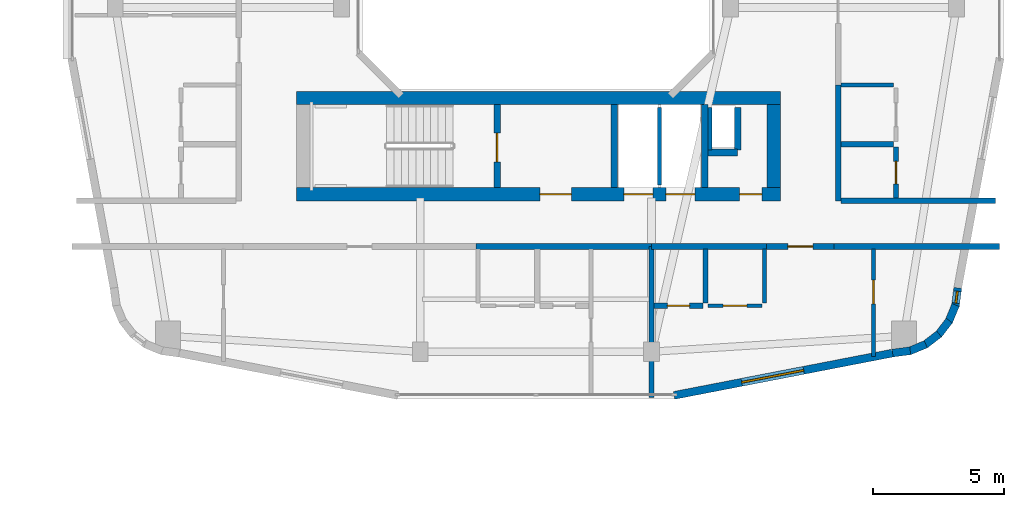
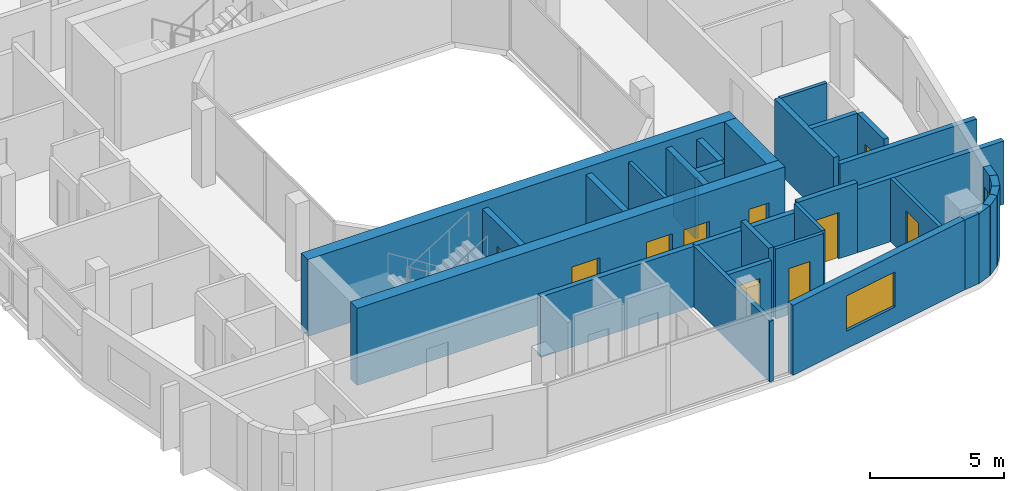
# One storey, part 17 of 25: 32 walls, 10 doors, 2 windows, 12 openings.
"""IFC4 building model written with IfcOpenShell, lengths in metres."""

import ifcopenshell
import ifcopenshell.guid

model = None  # the IFC model being written
_history = None  # IfcOwnerHistory: only IFC2X3 demands one
_inside = {}  # id of a spatial element -> (the spatial element, [elements in it])
_under = {}  # id of a project, library or spatial element -> (it, [spatial elements below it])
_declared = {}  # id of a project -> (the project, [libraries it declares])
_typed = {}  # id of a type object -> (the type object, [elements of that type])
_made_of = {}  # id of a material, layer set ... -> (it, [elements and type objects made of it])


def new_model(schema):
    """Start an empty IFC model of exactly this schema.

    Asked for "IFC4X3", IfcOpenShell would pick the latest addendum, in which some entities
    have other attributes; the version numbers below select the first issue.
    IFC2X3 requires an IfcOwnerHistory on every rooted entity: one is made here for all.
    """
    global model, _history
    if schema == "IFC4X3":
        model = ifcopenshell.file(schema_version=(4, 3, 0, 0))
    else:
        model = ifcopenshell.file(schema=schema)
    _inside.clear()
    _under.clear()
    _declared.clear()
    _typed.clear()
    _made_of.clear()
    _history = None
    if model.schema == "IFC2X3":
        org = make("IfcOrganization", Name="unknown")
        user = make(
            "IfcPersonAndOrganization",
            ThePerson=make("IfcPerson", FamilyName="unknown"),
            TheOrganization=org,
        )
        app = make(
            "IfcApplication",
            ApplicationDeveloper=org,
            Version="unknown",
            ApplicationFullName="unknown",
            ApplicationIdentifier="unknown",
        )
        _history = make(
            "IfcOwnerHistory",
            OwningUser=user,
            OwningApplication=app,
            ChangeAction="ADDED",
            CreationDate=0,
        )
    return model


def make(cls, **values):
    """One entity of the class cls with the attributes given. An attribute that is None is left unset."""
    return model.create_entity(
        cls, **{name: value for name, value in values.items() if value is not None}
    )


def rooted(cls, **values):
    """An entity with a GlobalId (a new one), such as an element, a storey or a relation."""
    return make(cls, GlobalId=ifcopenshell.guid.new(), OwnerHistory=_history, **values)


def si_unit(unit_type, name, prefix=None):
    """IfcSIUnit, for example si_unit("LENGTHUNIT", "METRE", prefix="MILLI")."""
    return make("IfcSIUnit", UnitType=unit_type, Prefix=prefix, Name=name)


def derived_unit(unit_type, elements):
    """IfcDerivedUnit: a product of units, each with its exponent."""
    return make(
        "IfcDerivedUnit",
        Elements=[
            make("IfcDerivedUnitElement", Unit=unit, Exponent=power)
            for unit, power in elements
        ],
        UnitType=unit_type,
    )


def assignment(units):
    """IfcUnitAssignment: the units of a project."""
    return None if units is None else make("IfcUnitAssignment", Units=units)


def point(xyz):
    """IfcCartesianPoint."""
    return None if xyz is None else make("IfcCartesianPoint", Coordinates=xyz)


def direction(xyz):
    """IfcDirection."""
    return None if xyz is None else make("IfcDirection", DirectionRatios=xyz)


def frame(location, z_axis=None, x_axis=None):
    """IfcAxis2Placement3D, a coordinate frame: its origin and axes. An axis left out is left unset."""
    return make(
        "IfcAxis2Placement3D",
        Location=point(location),
        Axis=direction(z_axis),
        RefDirection=direction(x_axis),
    )


def frame_2d(location, x_axis=None):
    """IfcAxis2Placement2D, a coordinate frame in the plane: its origin and x axis."""
    return make(
        "IfcAxis2Placement2D", Location=point(location), RefDirection=direction(x_axis)
    )


def origin():
    """The frame at (0, 0, 0) with its axes left unset."""
    return frame((0.0, 0.0, 0.0))


def place(relative_to, where):
    """IfcLocalPlacement: puts the frame where relative to a parent placement (None: the world)."""
    return make(
        "IfcLocalPlacement", PlacementRelTo=relative_to, RelativePlacement=where
    )


def context(
    kind, dimensions, precision=None, world=None, true_north=None, identifier=None
):
    """IfcGeometricRepresentationContext, for example the 3D "Model" context."""
    return make(
        "IfcGeometricRepresentationContext",
        ContextIdentifier=identifier,
        ContextType=kind,
        CoordinateSpaceDimension=dimensions,
        Precision=precision,
        WorldCoordinateSystem=world,
        TrueNorth=true_north,
    )


def subcontext(parent, identifier, kind, view, scale=None):
    """IfcGeometricRepresentationSubContext, for example "Body" below "Model"."""
    return make(
        "IfcGeometricRepresentationSubContext",
        ContextIdentifier=identifier,
        ContextType=kind,
        ParentContext=parent,
        TargetScale=scale,
        TargetView=view,
    )


def project(units=None, contexts=None):
    """IfcProject with its units and contexts."""
    return rooted(
        "IfcProject",
        Name="project",
        RepresentationContexts=contexts,
        UnitsInContext=assignment(units),
    )


def spatial(cls, under=None, at=None, **own):
    """A site, building, storey or space (cls), placed at a placement, below another one or the project."""
    s = rooted(cls, ObjectPlacement=at, **own)
    if under is not None:
        _under.setdefault(under.id(), (under, []))[1].append(s)
    return s


def profile(cls, at=None, kind="AREA", **sizes):
    """A parametric profile (cls). Its sizes go by their IFC names, for example OverallWidth=200.0."""
    return make(cls, ProfileType=kind, Position=at, **sizes)


def rectangle(**sizes):
    """IfcRectangleProfileDef."""
    return profile("IfcRectangleProfileDef", **sizes)


def extrude(swept, where, along, depth):
    """IfcExtrudedAreaSolid: the profile swept, set in the frame where, extruded along a direction by depth."""
    return make(
        "IfcExtrudedAreaSolid",
        SweptArea=swept,
        Position=where,
        ExtrudedDirection=direction(along),
        Depth=depth,
    )


def shape(context_of_items, identifier, shape_type, items):
    """IfcShapeRepresentation: the items that make up one representation, for example the "Body"."""
    return make(
        "IfcShapeRepresentation",
        ContextOfItems=context_of_items,
        RepresentationIdentifier=identifier,
        RepresentationType=shape_type,
        Items=items,
    )


def material(Name=None, Category=None):
    """IfcMaterial."""
    return make("IfcMaterial", Name=Name, Category=Category)


def layer(
    of_material, thickness, ventilated=None, Name=None, Category=None, Priority=None
):
    """IfcMaterialLayer: one layer of a wall or slab, of a material (None: an air gap)."""
    return make(
        "IfcMaterialLayer",
        Material=of_material,
        LayerThickness=thickness,
        IsVentilated=ventilated,
        Name=Name,
        Category=Category,
        Priority=Priority,
    )


def layer_set(layers, Name=None):
    """IfcMaterialLayerSet."""
    return make("IfcMaterialLayerSet", MaterialLayers=layers, LayerSetName=Name)


def made_of(thing, what):
    """Note that an element or type object is made of a material, layer set ...; save() writes the relation."""
    if what is not None:
        _made_of.setdefault(what.id(), (what, []))[1].append(thing)
    return thing


def type_object(cls, material=None, **own):
    """A type object (cls), such as IfcWallType, which elements share."""
    return made_of(rooted(cls, **own), material)


def element(
    cls,
    number,
    at=None,
    inside=None,
    cuts=None,
    type_object=None,
    material=None,
    context=None,
    identifier="Body",
    shape_type=None,
    held_by="IfcProductDefinitionShape",
    body=None,
    shapes=None,
    **own,
):
    """One element of the class cls, such as IfcWall. Its Tag is "e" and its number.

    at: its placement. inside: the storey or other place that contains it. cuts: it is an
    opening in that element (IfcRelVoidsElement). A single representation is given by context,
    identifier, shape_type and body (its items); several are given by shapes. held_by: the class
    of the entity that holds the representations. save() writes the other relations.
    """
    e = rooted(cls, Tag="e%d" % number, ObjectPlacement=at, **own)
    if body is not None:
        shapes = [shape(context, identifier, shape_type, body)]
    if shapes is not None:
        e.Representation = make(held_by, Representations=shapes)
    if inside is not None:
        _inside.setdefault(inside.id(), (inside, []))[1].append(e)
    if cuts is not None:
        rooted(
            "IfcRelVoidsElement", RelatingBuildingElement=cuts, RelatedOpeningElement=e
        )
    if type_object is not None:
        _typed.setdefault(type_object.id(), (type_object, []))[1].append(e)
    return made_of(e, material)


def fill(opening, filler):
    """IfcRelFillsElement: the door or window that sits in an opening."""
    return rooted(
        "IfcRelFillsElement",
        RelatingOpeningElement=opening,
        RelatedBuildingElement=filler,
    )


def aggregate(whole, parts):
    """IfcRelAggregates: a whole, such as a stair, and the parts it consists of."""
    return rooted("IfcRelAggregates", RelatingObject=whole, RelatedObjects=parts)


def save(model, path):
    """Write the relations noted so far, then the file.

    IfcRelAggregates (storeys below a building ...), IfcRelContainedInSpatialStructure (elements
    in a storey), IfcRelDefinesByType, IfcRelAssociatesMaterial and IfcRelDeclares: one each for
    every whole, place, type object, material and project.
    """
    for whole, parts in _under.values():
        aggregate(whole, parts)
    for where, things in _inside.values():
        rooted(
            "IfcRelContainedInSpatialStructure",
            RelatedElements=things,
            RelatingStructure=where,
        )
    for kind, things in _typed.values():
        rooted("IfcRelDefinesByType", RelatedObjects=things, RelatingType=kind)
    for what, things in _made_of.values():
        rooted("IfcRelAssociatesMaterial", RelatedObjects=things, RelatingMaterial=what)
    for by, libraries in _declared.values():
        rooted("IfcRelDeclares", RelatingContext=by, RelatedDefinitions=libraries)
    model.write(path)


model = new_model("IFC4")

# Units and contexts
model_context = context("Model", 3, precision=1e-05, world=origin(), true_north=direction((0.0, 1.0)))
body_context = subcontext(model_context, "Body", "Model", "MODEL_VIEW")
ifc_project = project(units=[si_unit("LENGTHUNIT", "METRE"), si_unit("AREAUNIT", "SQUARE_METRE"), si_unit("VOLUMEUNIT", "CUBIC_METRE"), si_unit("PLANEANGLEUNIT", "RADIAN"), si_unit("MASSUNIT", "GRAM", prefix="KILO"), derived_unit("THERMALTRANSMITTANCEUNIT", [(si_unit("POWERUNIT", "WATT"), 1), (si_unit("LENGTHUNIT", "METRE"), -2), (si_unit("THERMODYNAMICTEMPERATUREUNIT", "KELVIN"), -1)])], contexts=[model_context])

# Site, building, storey
site_placement = place(None, origin())
site = spatial("IfcSite", under=ifc_project, at=site_placement, CompositionType="ELEMENT")
building_placement = place(site_placement, origin())
building = spatial("IfcBuilding", under=site, at=building_placement, Name="Kivonza Crest Hotel", CompositionType="ELEMENT")
storey_placement = place(building_placement, frame((0.0, 0.0, 87.0)))
storey = spatial("IfcBuildingStorey", under=building, at=storey_placement, Name="L23", CompositionType="ELEMENT", Elevation=87.0)

# Walls
ifc_material_1 = material(Name="High-density acoustic masonry inter-tenancy wall", Category="masonry")
ifc_layer_1 = layer(ifc_material_1, 0.179931640625)
ifc_layer_set_1 = layer_set([ifc_layer_1], Name="High-density acoustic masonry inter-tenancy wall")
wall_type_1 = type_object("IfcWallType", Name="WL-ACOU-180", PredefinedType="SOLIDWALL", material=ifc_layer_set_1)
wall_1_placement = place(storey_placement, frame((81.39990234375, 6.659912109375, 0.0), z_axis=(0.0, 0.0, 1.0), x_axis=(0.0, 1.0, 0.0)))
element("IfcWall", 1, at=wall_1_placement, inside=storey, type_object=wall_type_1, Name="L23 interior partition WA-L23-T2S-DIV1", PredefinedType="SOLIDWALL", context=body_context, shape_type="SweptSolid", body=[
    extrude(rectangle(XDim=5.739990234375, YDim=0.179931640625, at=frame_2d((2.8701171875, 0.0))), origin(), (0.0, 0.0, 1.0), 2.7548828125),
])
ifc_material_2 = material(Name="Autoclaved aerated concrete blockwork", Category="masonry")
ifc_layer_2 = layer(ifc_material_2, 0.219970703125)
ifc_layer_set_2 = layer_set([ifc_layer_2], Name="Autoclaved aerated concrete blockwork")
wall_type_2 = type_object("IfcWallType", Name="WL-ACOU-220", PredefinedType="SOLIDWALL", material=ifc_layer_set_2)
wall_2_placement = place(storey_placement, frame((74.719970703125, 12.39990234375, 0.0), z_axis=(0.0, 0.0, 1.0), x_axis=(1.0, 0.0, 0.0)))
element("IfcWall", 2, at=wall_2_placement, inside=storey, type_object=wall_type_2, Name="L23 interior partition WA-L23-A03-RCORR", PredefinedType="SOLIDWALL", context=body_context, shape_type="SweptSolid", body=[
    extrude(rectangle(XDim=6.679931640625, YDim=0.219970703125, at=frame_2d((3.33984375, 0.0))), origin(), (0.0, 0.0, 1.0), 2.7548828125),
])
wall_3_placement = place(storey_placement, frame((81.39990234375, 12.39990234375, 0.0), z_axis=(0.0, 0.0, 1.0), x_axis=(1.0, 0.0, 0.0)))
element("IfcWall", 3, at=wall_3_placement, inside=storey, type_object=wall_type_2, Name="L23 interior partition WA-L23-A04-LCORR", PredefinedType="SOLIDWALL", context=body_context, shape_type="SweptSolid", body=[
    extrude(rectangle(XDim=4.380126953125, YDim=0.219970703125, at=frame_2d((2.18994140625, 0.0))), origin(), (0.0, 0.0, 1.0), 2.7548828125),
])
wall_4_placement = place(storey_placement, frame((88.35009765625, 12.39990234375, 0.0), z_axis=(0.0, 0.0, 1.0), x_axis=(1.0, 0.0, 0.0)))
element("IfcWall", 4, at=wall_4_placement, inside=storey, type_object=wall_type_2, Name="L23 interior partition WA-L23-A04-RCORR", PredefinedType="SOLIDWALL", context=body_context, shape_type="SweptSolid", body=[
    extrude(rectangle(XDim=6.289794921875, YDim=0.219970703125, at=frame_2d((3.14501953125, 0.0))), origin(), (0.0, 0.0, 1.0), 2.875),
])

# Wall, opening, door
wall_5_placement = place(storey_placement, frame((85.780029296875, 12.39990234375, 0.0), z_axis=(0.0, 0.0, 1.0), x_axis=(1.0, 0.0, 0.0)))
wall_5 = element("IfcWall", 5, at=wall_5_placement, inside=storey, type_object=wall_type_2, Name="L23 interior partition WA-L23-A04-MCORR", PredefinedType="SOLIDWALL", context=body_context, shape_type="SweptSolid", body=[
    extrude(rectangle(XDim=2.570068359375, YDim=0.219970703125, at=frame_2d((1.28515625, 0.0))), origin(), (0.0, 0.0, 1.0), 3.179931640625),
])
opening_1_placement = place(wall_5_placement, frame((0.81005859375, 0.0, 0.0)))
opening_1 = element("IfcOpeningElement", 6, at=opening_1_placement, cuts=wall_5, Name="Opening DU-60", PredefinedType="OPENING", context=body_context, shape_type="SweptSolid", body=[
    extrude(rectangle(XDim=0.949951171875, YDim=2.10009765625, at=frame_2d((0.47509765625, 1.050048828125))), frame((0.0, 0.1201171875, 0.0), z_axis=(0.0, -1.0, 0.0), x_axis=(1.0, 0.0, 0.0)), (0.0, 0.0, 1.0), 0.239990234375),
])
ifc_material_3 = material(Name="Hardwood timber oak", Category="wood")
door_type_1 = type_object("IfcDoorType", Name="DR-UNIT-950", OperationType="NOTDEFINED", PredefinedType="DOOR", material=ifc_material_3)
door_1_placement = place(opening_1_placement, frame((0.949951171875, 0.0, 0.0), z_axis=(0.0, 0.0, 1.0), x_axis=(-1.0, 0.0, 0.0)))
door_1 = element("IfcDoor", 7, at=door_1_placement, inside=storey, type_object=door_type_1, Name="L23 A04 apartment entrance fire door", OperationType="SINGLE_SWING_RIGHT", OverallHeight=2.10009765625, OverallWidth=0.949951171875, PredefinedType="DOOR", context=body_context, shape_type="SweptSolid", body=[
    extrude(rectangle(XDim=0.949951171875, YDim=2.10009765625, at=frame_2d((0.47509765625, 1.050048828125))), frame((0.0, 0.02490234375, 0.0), z_axis=(0.0, -1.0, 0.0), x_axis=(1.0, 0.0, 0.0)), (0.0, 0.0, 1.0), 0.050048828125),
])
fill(opening_1, door_1)

# Walls
wall_6_placement = place(storey_placement, frame((88.60009765625, 14.139892578125, 0.0), z_axis=(0.0, 0.0, 1.0), x_axis=(1.0, 0.0, 0.0)))
element("IfcWall", 8, at=wall_6_placement, inside=storey, type_object=wall_type_2, Name="L23 interior partition WA-L23-T2E-ENDS", PredefinedType="SOLIDWALL", context=body_context, shape_type="SweptSolid", body=[
    extrude(rectangle(XDim=5.8798828125, YDim=0.219970703125, at=frame_2d((2.93994140625, 0.0))), origin(), (0.0, 0.0, 1.0), 2.875),
])
wall_7_placement = place(storey_placement, frame((88.5, 14.139892578125, 0.0), z_axis=(0.0, 0.0, 1.0), x_axis=(0.0, 1.0, 0.0)))
element("IfcWall", 9, at=wall_7_placement, inside=storey, type_object=wall_type_2, Name="L23 interior partition WA-L23-A07-BCORR", PredefinedType="SOLIDWALL", context=body_context, shape_type="SweptSolid", body=[
    extrude(rectangle(XDim=4.400146484375, YDim=0.219970703125, at=frame_2d((2.2001953125, 0.0))), origin(), (0.0, 0.0, 1.0), 3.179931640625),
])

# Wall, openings, doors
ifc_material_4 = material(Name="Concrete C60/75", Category="concrete")
ifc_layer_3 = layer(ifc_material_4, 0.5)
ifc_layer_set_3 = layer_set([ifc_layer_3], Name="Concrete C60/75")
wall_type_3 = type_object("IfcWallType", Name="WL-CORE-500", PredefinedType="SHEAR", material=ifc_layer_set_3)
wall_8_placement = place(storey_placement, frame((67.89990234375, 14.389892578125, 0.0), z_axis=(0.0, 0.0, 1.0), x_axis=(1.0, 0.0, 0.0)))
wall_8 = element("IfcWall", 10, at=wall_8_placement, inside=storey, type_object=wall_type_3, Name="Core wall T2-S South L23", PredefinedType="SHEAR", context=body_context, shape_type="SweptSolid", body=[
    extrude(rectangle(XDim=18.400146484375, YDim=0.5, at=frame_2d((9.2001953125, 0.0))), origin(), (0.0, 0.0, 1.0), 3.5),
])
opening_2_placement = place(wall_8_placement, frame((9.25, 0.0, 0.0)))
opening_2 = element("IfcOpeningElement", 11, at=opening_2_placement, cuts=wall_8, Name="Opening DF-60", PredefinedType="OPENING", context=body_context, shape_type="SweptSolid", body=[
    extrude(rectangle(XDim=1.199951171875, YDim=2.14990234375, at=frame_2d((0.60009765625, 1.074951171875))), frame((0.0, 0.260009765625, 0.0), z_axis=(0.0, -1.0, 0.0), x_axis=(1.0, 0.0, 0.0)), (0.0, 0.0, 1.0), 0.52001953125),
])
opening_3_placement = place(wall_8_placement, frame((16.85009765625, 0.0, 0.0)))
opening_3 = element("IfcOpeningElement", 12, at=opening_3_placement, cuts=wall_8, Name="Opening DF-60R", PredefinedType="OPENING", context=body_context, shape_type="SweptSolid", body=[
    extrude(rectangle(XDim=0.85009765625, YDim=2.10009765625, at=frame_2d((0.425048828125, 1.050048828125))), frame((0.0, 0.260009765625, 0.0), z_axis=(0.0, -1.0, 0.0), x_axis=(1.0, 0.0, 0.0)), (0.0, 0.0, 1.0), 0.52001953125),
])
opening_4_placement = place(wall_8_placement, frame((12.449951171875, 0.0, 0.0)))
opening_4 = element("IfcOpeningElement", 13, at=opening_4_placement, cuts=wall_8, Name="Opening LD-120", PredefinedType="OPENING", context=body_context, shape_type="SweptSolid", body=[
    extrude(rectangle(XDim=1.10009765625, YDim=2.14990234375, at=frame_2d((0.550048828125, 1.074951171875))), frame((0.0, 0.260009765625, 0.0), z_axis=(0.0, -1.0, 0.0), x_axis=(1.0, 0.0, 0.0)), (0.0, 0.0, 1.0), 0.52001953125),
])
opening_5_placement = place(wall_8_placement, frame((14.050048828125, 0.0, 0.0)))
opening_5 = element("IfcOpeningElement", 14, at=opening_5_placement, cuts=wall_8, Name="Opening LD-120", PredefinedType="OPENING", context=body_context, shape_type="SweptSolid", body=[
    extrude(rectangle(XDim=1.10009765625, YDim=2.14990234375, at=frame_2d((0.550048828125, 1.074951171875))), frame((0.0, 0.260009765625, 0.0), z_axis=(0.0, -1.0, 0.0), x_axis=(1.0, 0.0, 0.0)), (0.0, 0.0, 1.0), 0.52001953125),
])
door_type_2 = type_object("IfcDoorType", Name="DR-FD60-1200", OperationType="NOTDEFINED", PredefinedType="DOOR", material=ifc_material_3)
door_2_placement = place(opening_2_placement, frame((1.199951171875, 0.0, 0.0), z_axis=(0.0, 0.0, 1.0), x_axis=(-1.0, 0.0, 0.0)))
door_2 = element("IfcDoor", 15, at=door_2_placement, inside=storey, type_object=door_type_2, Name="L23 T2-S firefighting lobby fire door", OperationType="SINGLE_SWING_LEFT", OverallHeight=2.14990234375, OverallWidth=1.199951171875, PredefinedType="DOOR", context=body_context, shape_type="SweptSolid", body=[
    extrude(rectangle(XDim=1.199951171875, YDim=2.14990234375, at=frame_2d((0.60009765625, 1.074951171875))), frame((0.0, 0.02490234375, 0.0), z_axis=(0.0, -1.0, 0.0), x_axis=(1.0, 0.0, 0.0)), (0.0, 0.0, 1.0), 0.050048828125),
])
fill(opening_2, door_2)
door_type_3 = type_object("IfcDoorType", Name="DR-FD60-850", OperationType="NOTDEFINED", PredefinedType="DOOR", material=ifc_material_3)
door_3_placement = place(opening_3_placement, frame((0.85009765625, 0.0, 0.0), z_axis=(0.0, 0.0, 1.0), x_axis=(-1.0, 0.0, 0.0)))
door_3 = element("IfcDoor", 16, at=door_3_placement, inside=storey, type_object=door_type_3, Name="L23 T2-S core room door", OperationType="SINGLE_SWING_RIGHT", OverallHeight=2.10009765625, OverallWidth=0.85009765625, PredefinedType="DOOR", context=body_context, shape_type="SweptSolid", body=[
    extrude(rectangle(XDim=0.85009765625, YDim=2.10009765625, at=frame_2d((0.425048828125, 1.050048828125))), frame((0.0, 0.02490234375, 0.0), z_axis=(0.0, -1.0, 0.0), x_axis=(1.0, 0.0, 0.0)), (0.0, 0.0, 1.0), 0.050048828125),
])
fill(opening_3, door_3)
ifc_material_5 = material(Name="Stainless steel", Category="steel")
door_type_4 = type_object("IfcDoorType", Name="DR-LD120-1100", OperationType="NOTDEFINED", PredefinedType="DOOR", material=ifc_material_5)
door_4_placement = place(opening_4_placement, frame((1.10009765625, 0.0, 0.0), z_axis=(0.0, 0.0, 1.0), x_axis=(-1.0, 0.0, 0.0)))
door_4 = element("IfcDoor", 17, at=door_4_placement, inside=storey, type_object=door_type_4, Name="L23 PL-T2-1 passenger lift sliding landing door", OperationType="DOUBLE_DOOR_SLIDING", OverallHeight=2.14990234375, OverallWidth=1.10009765625, PredefinedType="DOOR", context=body_context, shape_type="SweptSolid", body=[
    extrude(rectangle(XDim=1.10009765625, YDim=2.14990234375, at=frame_2d((0.550048828125, 1.074951171875))), frame((0.0, 0.02490234375, 0.0), z_axis=(0.0, -1.0, 0.0), x_axis=(1.0, 0.0, 0.0)), (0.0, 0.0, 1.0), 0.050048828125),
])
fill(opening_4, door_4)
door_5_placement = place(opening_5_placement, frame((1.10009765625, 0.0, 0.0), z_axis=(0.0, 0.0, 1.0), x_axis=(-1.0, 0.0, 0.0)))
door_5 = element("IfcDoor", 18, at=door_5_placement, inside=storey, type_object=door_type_4, Name="L23 PL-T2-2 passenger lift sliding landing door", OperationType="DOUBLE_DOOR_SLIDING", OverallHeight=2.14990234375, OverallWidth=1.10009765625, PredefinedType="DOOR", context=body_context, shape_type="SweptSolid", body=[
    extrude(rectangle(XDim=1.10009765625, YDim=2.14990234375, at=frame_2d((0.550048828125, 1.074951171875))), frame((0.0, 0.02490234375, 0.0), z_axis=(0.0, -1.0, 0.0), x_axis=(1.0, 0.0, 0.0)), (0.0, 0.0, 1.0), 0.050048828125),
])
fill(opening_5, door_5)

# Walls
wall_9_placement = place(storey_placement, frame((67.89990234375, 18.050048828125, 0.0), z_axis=(0.0, 0.0, 1.0), x_axis=(1.0, 0.0, 0.0)))
element("IfcWall", 19, at=wall_9_placement, inside=storey, type_object=wall_type_3, Name="Core wall T2-S North L23", PredefinedType="SHEAR", context=body_context, shape_type="SweptSolid", body=[
    extrude(rectangle(XDim=18.400146484375, YDim=0.5, at=frame_2d((9.2001953125, 0.0))), origin(), (0.0, 0.0, 1.0), 3.5),
])
wall_10_placement = place(storey_placement, frame((86.050048828125, 14.639892578125, 0.0), z_axis=(0.0, 0.0, 1.0), x_axis=(0.0, 1.0, 0.0)))
element("IfcWall", 20, at=wall_10_placement, inside=storey, type_object=wall_type_3, Name="Core wall T2-S East L23", PredefinedType="SHEAR", context=body_context, shape_type="SweptSolid", body=[
    extrude(rectangle(XDim=3.16015625, YDim=0.5, at=frame_2d((1.580078125, 0.0))), origin(), (0.0, 0.0, 1.0), 3.5),
])

# Wall, opening, window
ifc_material_6 = material(Name="Precast concrete C40/50", Category="concrete")
ifc_layer_4 = layer(ifc_material_6, 0.300048828125)
ifc_layer_set_4 = layer_set([ifc_layer_4], Name="Precast concrete C40/50")
wall_type_4 = type_object("IfcWallType", Name="WL-EXT-300", PredefinedType="STANDARD", material=ifc_layer_set_4)
wall_11_placement = place(storey_placement, frame((82.257080078125, 6.737060546875, 0.0), z_axis=(0.0, 0.0, 1.0), x_axis=(0.981750199588, 0.190175039396, 0.0)))
wall_11 = element("IfcWall", 21, at=wall_11_placement, inside=storey, type_object=wall_type_4, Name="L23 T2 exterior insulated wall 9", PredefinedType="STANDARD", context=body_context, shape_type="SweptSolid", body=[
    extrude(rectangle(XDim=8.476806640625, YDim=0.300048828125, at=frame_2d((4.23828125, 0.0))), origin(), (0.0, 0.0, 1.0), 3.179931640625),
])
opening_6_placement = place(wall_11_placement, frame((2.623046875, 0.0, 0.800048828125)))
opening_6 = element("IfcOpeningElement", 22, at=opening_6_placement, cuts=wall_11, Name="Opening WN-05", PredefinedType="OPENING", context=body_context, shape_type="SweptSolid", body=[
    extrude(rectangle(XDim=2.39990234375, YDim=1.60009765625, at=frame_2d((1.199951171875, 0.800048828125))), frame((0.0, 0.16015625, 0.0), z_axis=(0.0, -1.0, 0.0), x_axis=(1.0, 0.0, 0.0)), (0.0, 0.0, 1.0), 0.320068359375),
])
ifc_material_7 = material(Name="Thermally broken bronze aluminium and low-E double glazing", Category="aluminium")
window_type_1 = type_object("IfcWindowType", Name="WN-240x160", PartitioningType="TRIPLE_PANEL_VERTICAL", PredefinedType="WINDOW", material=ifc_material_7)
window_1_placement = place(opening_6_placement, origin())
window_1 = element("IfcWindow", 23, at=window_1_placement, inside=storey, type_object=window_type_1, Name="L23 T2 facade window 9", OverallHeight=1.60009765625, OverallWidth=2.39990234375, PartitioningType="SINGLE_PANEL", PredefinedType="WINDOW", context=body_context, shape_type="SweptSolid", body=[
    extrude(rectangle(XDim=2.39990234375, YDim=1.60009765625, at=frame_2d((1.199951171875, 0.800048828125))), frame((0.0, 0.030029296875, 0.0), z_axis=(0.0, -1.0, 0.0), x_axis=(1.0, 0.0, 0.0)), (0.0, 0.0, 1.0), 0.06005859375),
])
fill(opening_6, window_1)

# Walls
wall_12_placement = place(storey_placement, frame((90.572021484375, 8.347900390625, 0.0), z_axis=(0.0, 0.0, 1.0), x_axis=(0.991293937098, 0.131667498923, 0.0)))
element("IfcWall", 24, at=wall_12_placement, inside=storey, type_object=wall_type_4, Name="L23 T2 exterior insulated wall 10", PredefinedType="STANDARD", context=body_context, shape_type="SweptSolid", body=[
    extrude(rectangle(XDim=0.6767578125, YDim=0.300048828125, at=frame_2d((0.33837890625, 0.0))), origin(), (0.0, 0.0, 1.0), 3.179931640625),
])
wall_13_placement = place(storey_placement, frame((91.193115234375, 8.41796875, 0.0), z_axis=(0.0, 0.0, 1.0), x_axis=(0.924042561464, 0.382289608286, 0.0)))
element("IfcWall", 25, at=wall_13_placement, inside=storey, type_object=wall_type_4, Name="L23 T2 exterior insulated wall 11", PredefinedType="STANDARD", context=body_context, shape_type="SweptSolid", body=[
    extrude(rectangle(XDim=0.693603515625, YDim=0.300048828125, at=frame_2d((0.3466796875, 0.0))), origin(), (0.0, 0.0, 1.0), 3.179931640625),
])
for number, where, z_axis, x_axis, name in (
    (26, (91.7890625, 8.652099609375, 0.0), (0.0, 0.0, 1.0), (0.792807092876, 0.609472651958, 0.0), "L23 T2 exterior insulated wall 12"),
    (27, (92.303955078125, 9.032958984375, 0.0), (0.0, 0.0, 1.0), (0.609693758543, 0.792637067512, 0.0), "L23 T2 exterior insulated wall 13"),
    (28, (92.702880859375, 9.533935546875, 0.0), (0.0, 0.0, 1.0), (0.382165294877, 0.924093981904, 0.0), "L23 T2 exterior insulated wall 14"),
):
    element("IfcWall", number, at=place(storey_placement, frame(where, z_axis=z_axis, x_axis=x_axis)), inside=storey, type_object=wall_type_4, Name=name, PredefinedType="STANDARD", context=body_context, shape_type="SweptSolid", body=[
        extrude(rectangle(XDim=0.69384765625, YDim=0.300048828125, at=frame_2d((0.346923828125, 0.0))), origin(), (0.0, 0.0, 1.0), 3.179931640625),
    ])

# Wall, opening, window
wall_14_placement = place(storey_placement, frame((92.958984375, 10.1220703125, 0.0), z_axis=(0.0, 0.0, 1.0), x_axis=(0.130658543777, 0.991427427974, 0.0)))
wall_14 = element("IfcWall", 29, at=wall_14_placement, inside=storey, type_object=wall_type_4, Name="L23 T2 exterior insulated wall 15", PredefinedType="STANDARD", context=body_context, shape_type="SweptSolid", body=[
    extrude(rectangle(XDim=0.7119140625, YDim=0.300048828125, at=frame_2d((0.35595703125, 0.0))), origin(), (0.0, 0.0, 1.0), 3.179931640625),
])
opening_7_placement = place(wall_14_placement, frame((0.131103515625, 0.0, 0.85009765625)))
opening_7 = element("IfcOpeningElement", 30, at=opening_7_placement, cuts=wall_14, Name="Opening WN-11", PredefinedType="OPENING", context=body_context, shape_type="SweptSolid", body=[
    extrude(rectangle(XDim=0.449951171875, YDim=1.5, at=frame_2d((0.22509765625, 0.75))), frame((0.0, 0.16015625, 0.0), z_axis=(0.0, -1.0, 0.0), x_axis=(1.0, 0.0, 0.0)), (0.0, 0.0, 1.0), 0.320068359375),
])
window_type_2 = type_object("IfcWindowType", Name="WN-045x150", PartitioningType="SINGLE_PANEL", PredefinedType="WINDOW", material=ifc_material_7)
window_2_placement = place(opening_7_placement, origin())
window_2 = element("IfcWindow", 31, at=window_2_placement, inside=storey, type_object=window_type_2, Name="L23 corner vision window 4", OverallHeight=1.5, OverallWidth=0.449951171875, PartitioningType="SINGLE_PANEL", PredefinedType="WINDOW", context=body_context, shape_type="SweptSolid", body=[
    extrude(rectangle(XDim=0.449951171875, YDim=1.5, at=frame_2d((0.22509765625, 0.75))), frame((0.0, 0.030029296875, 0.0), z_axis=(0.0, -1.0, 0.0), x_axis=(1.0, 0.0, 0.0)), (0.0, 0.0, 1.0), 0.06005859375),
])
fill(opening_7, window_2)

# Walls
ifc_material_8 = material(Name="Concrete blockwork fire-compartment wall", Category="masonry")
ifc_layer_5 = layer(ifc_material_8, 0.25)
ifc_layer_set_5 = layer_set([ifc_layer_5], Name="Concrete blockwork fire-compartment wall")
wall_type_5 = type_object("IfcWallType", Name="WL-FIRE-250", PredefinedType="SOLIDWALL", material=ifc_layer_set_5)
wall_15_placement = place(storey_placement, frame((84.679931640625, 16.080078125, 0.0), z_axis=(0.0, 0.0, 1.0), x_axis=(0.0, 1.0, 0.0)))
element("IfcWall", 32, at=wall_15_placement, inside=storey, type_object=wall_type_5, Name="L23 interior partition WA-L23-T2-S-MEPR-E", PredefinedType="SOLIDWALL", context=body_context, shape_type="SweptSolid", body=[
    extrude(rectangle(XDim=1.619873046875, YDim=0.25, at=frame_2d((0.81005859375, 0.0))), origin(), (0.0, 0.0, 1.0), 3.179931640625),
])
wall_16_placement = place(storey_placement, frame((83.550048828125, 15.97998046875, 0.0), z_axis=(0.0, 0.0, 1.0), x_axis=(1.0, 0.0, 0.0)))
element("IfcWall", 33, at=wall_16_placement, inside=storey, type_object=wall_type_5, Name="L23 interior partition WA-L23-T2-S-MEPR-H", PredefinedType="SOLIDWALL", context=body_context, shape_type="SweptSolid", body=[
    extrude(rectangle(XDim=1.1298828125, YDim=0.25, at=frame_2d((0.56494140625, 0.0))), origin(), (0.0, 0.0, 1.0), 3.179931640625),
])
ifc_material_9 = material(Name="Twin-stud acoustic gypsum board partition", Category="gypsum")
ifc_layer_6 = layer(ifc_material_9, 0.14990234375)
ifc_layer_set_6 = layer_set([ifc_layer_6], Name="Twin-stud acoustic gypsum board partition")
wall_type_6 = type_object("IfcWallType", Name="WL-PART-150", PredefinedType="PARTITIONING", material=ifc_layer_set_6)
wall_17_placement = place(storey_placement, frame((83.6298828125, 16.080078125, 0.0), z_axis=(0.0, 0.0, 1.0), x_axis=(0.0, 1.0, 0.0)))
element("IfcWall", 34, at=wall_17_placement, inside=storey, type_object=wall_type_6, Name="L23 interior partition WA-L23-T2-S-MEPR-W", PredefinedType="PARTITIONING", context=body_context, shape_type="SweptSolid", body=[
    extrude(rectangle(XDim=1.619873046875, YDim=0.14990234375, at=frame_2d((0.81005859375, 0.0))), origin(), (0.0, 0.0, 1.0), 2.7548828125),
])
wall_18_placement = place(storey_placement, frame((81.699951171875, 14.739990234375, 0.0), z_axis=(0.0, 0.0, 1.0), x_axis=(0.0, 1.0, 0.0)))
element("IfcWall", 35, at=wall_18_placement, inside=storey, type_object=wall_type_6, Name="L23 interior partition WP-L23-T2-S-BSH-1", PredefinedType="PARTITIONING", context=body_context, shape_type="SweptSolid", body=[
    extrude(rectangle(XDim=2.9599609375, YDim=0.14990234375, at=frame_2d((1.47998046875, 0.0))), origin(), (0.0, 0.0, 1.0), 3.179931640625),
])

# Wall, opening, door
wall_19_placement = place(storey_placement, frame((89.840087890625, 8.214111328125, 0.0), z_axis=(0.0, 0.0, 1.0), x_axis=(0.0, 1.0, 0.0)))
wall_19 = element("IfcWall", 36, at=wall_19_placement, inside=storey, type_object=wall_type_6, Name="L23 interior partition WP-L23-A04-BDW1", PredefinedType="PARTITIONING", context=body_context, shape_type="SweptSolid", body=[
    extrude(rectangle(XDim=4.0859375, YDim=0.14990234375, at=frame_2d((2.04296875, 0.0))), origin(), (0.0, 0.0, 1.0), 2.875),
])
opening_8_placement = place(wall_19_placement, frame((2.010009765625, 0.0, 0.0)))
opening_8 = element("IfcOpeningElement", 37, at=opening_8_placement, cuts=wall_19, Name="Opening DI-90", PredefinedType="OPENING", context=body_context, shape_type="SweptSolid", body=[
    extrude(rectangle(XDim=0.89990234375, YDim=2.10009765625, at=frame_2d((0.449951171875, 1.050048828125))), frame((0.0, 0.0849609375, 0.0), z_axis=(0.0, -1.0, 0.0), x_axis=(1.0, 0.0, 0.0)), (0.0, 0.0, 1.0), 0.169921875),
])
door_type_5 = type_object("IfcDoorType", Name="DR-INT-900", OperationType="NOTDEFINED", PredefinedType="DOOR", material=ifc_material_3)
door_6_placement = place(opening_8_placement, origin())
door_6 = element("IfcDoor", 38, at=door_6_placement, inside=storey, type_object=door_type_5, Name="L23 A04 bedroom 1 door", OperationType="SINGLE_SWING_LEFT", OverallHeight=2.10009765625, OverallWidth=0.89990234375, PredefinedType="DOOR", context=body_context, shape_type="SweptSolid", body=[
    extrude(rectangle(XDim=0.89990234375, YDim=2.10009765625, at=frame_2d((0.449951171875, 1.050048828125))), frame((0.0, 0.02490234375, 0.0), z_axis=(0.0, -1.0, 0.0), x_axis=(1.0, 0.0, 0.0)), (0.0, 0.0, 1.0), 0.050048828125),
])
fill(opening_8, door_6)

# Wall
wall_20_placement = place(storey_placement, frame((85.699951171875, 10.25, 0.0), z_axis=(0.0, 0.0, 1.0), x_axis=(0.0, 1.0, 0.0)))
element("IfcWall", 39, at=wall_20_placement, inside=storey, type_object=wall_type_6, Name="L23 interior partition WP-L23-A04-KF", PredefinedType="PARTITIONING", context=body_context, shape_type="SweptSolid", body=[
    extrude(rectangle(XDim=2.050048828125, YDim=0.14990234375, at=frame_2d((1.02490234375, 0.0))), origin(), (0.0, 0.0, 1.0), 3.179931640625),
])

# Wall, opening, door
wall_21_placement = place(storey_placement, frame((83.550048828125, 10.14990234375, 0.0), z_axis=(0.0, 0.0, 1.0), x_axis=(1.0, 0.0, 0.0)))
wall_21 = element("IfcWall", 40, at=wall_21_placement, inside=storey, type_object=wall_type_6, Name="L23 interior partition WP-L23-A04-KSVC", PredefinedType="PARTITIONING", context=body_context, shape_type="SweptSolid", body=[
    extrude(rectangle(XDim=2.050048828125, YDim=0.14990234375, at=frame_2d((1.02490234375, 0.0))), origin(), (0.0, 0.0, 1.0), 3.179931640625),
])
opening_9_placement = place(wall_21_placement, frame((0.574951171875, 0.0, 0.0)))
opening_9 = element("IfcOpeningElement", 41, at=opening_9_placement, cuts=wall_21, Name="Opening DI-90", PredefinedType="OPENING", context=body_context, shape_type="SweptSolid", body=[
    extrude(rectangle(XDim=0.89990234375, YDim=2.10009765625, at=frame_2d((0.449951171875, 1.050048828125))), frame((0.0, 0.0849609375, 0.0), z_axis=(0.0, -1.0, 0.0), x_axis=(1.0, 0.0, 0.0)), (0.0, 0.0, 1.0), 0.169921875),
])
door_7_placement = place(opening_9_placement, frame((0.89990234375, 0.0, 0.0), z_axis=(0.0, 0.0, 1.0), x_axis=(-1.0, 0.0, 0.0)))
door_7 = element("IfcDoor", 42, at=door_7_placement, inside=storey, type_object=door_type_5, Name="L23 A04 apartment kitchen door", OperationType="SINGLE_SWING_RIGHT", OverallHeight=2.10009765625, OverallWidth=0.89990234375, PredefinedType="DOOR", context=body_context, shape_type="SweptSolid", body=[
    extrude(rectangle(XDim=0.89990234375, YDim=2.10009765625, at=frame_2d((0.449951171875, 1.050048828125))), frame((0.0, 0.02490234375, 0.0), z_axis=(0.0, -1.0, 0.0), x_axis=(1.0, 0.0, 0.0)), (0.0, 0.0, 1.0), 0.050048828125),
])
fill(opening_9, door_7)

# Walls
wall_22_placement = place(storey_placement, frame((88.60009765625, 18.5400390625, 0.0), z_axis=(0.0, 0.0, 1.0), x_axis=(1.0, 0.0, 0.0)))
element("IfcWall", 43, at=wall_22_placement, inside=storey, type_object=wall_type_6, Name="L23 interior partition WP-L23-A07-KF", PredefinedType="PARTITIONING", context=body_context, shape_type="SweptSolid", body=[
    extrude(rectangle(XDim=2.0, YDim=0.14990234375, at=frame_2d((1.0, 0.0))), origin(), (0.0, 0.0, 1.0), 3.179931640625),
])
ifc_material_10 = material(Name="Moisture-resistant plumbing chase partition wall", Category="gypsum")
ifc_layer_7 = layer(ifc_material_10, 0.199951171875)
ifc_layer_set_7 = layer_set([ifc_layer_7], Name="Moisture-resistant plumbing chase partition wall")
wall_type_7 = type_object("IfcWallType", Name="WL-PLUMB-200", PredefinedType="PLUMBINGWALL", material=ifc_layer_set_7)
wall_23_placement = place(storey_placement, frame((83.449951171875, 10.25, 0.0), z_axis=(0.0, 0.0, 1.0), x_axis=(0.0, 1.0, 0.0)))
element("IfcWall", 44, at=wall_23_placement, inside=storey, type_object=wall_type_7, Name="L23 interior partition WW-L23-A04-BK", PredefinedType="PLUMBINGWALL", context=body_context, shape_type="SweptSolid", body=[
    extrude(rectangle(XDim=2.050048828125, YDim=0.199951171875, at=frame_2d((1.02490234375, 0.0))), origin(), (0.0, 0.0, 1.0), 3.179931640625),
])

# Wall, opening, door
wall_24_placement = place(storey_placement, frame((81.5, 10.14990234375, 0.0), z_axis=(0.0, 0.0, 1.0), x_axis=(1.0, 0.0, 0.0)))
wall_24 = element("IfcWall", 45, at=wall_24_placement, inside=storey, type_object=wall_type_7, Name="L23 interior partition WW-L23-A04-BSVC", PredefinedType="PLUMBINGWALL", context=body_context, shape_type="SweptSolid", body=[
    extrude(rectangle(XDim=1.85009765625, YDim=0.199951171875, at=frame_2d((0.925048828125, 0.0))), origin(), (0.0, 0.0, 1.0), 2.7548828125),
])
opening_10_placement = place(wall_24_placement, frame((0.5, 0.0, 0.0)))
opening_10 = element("IfcOpeningElement", 46, at=opening_10_placement, cuts=wall_24, Name="Opening DI-85", PredefinedType="OPENING", context=body_context, shape_type="SweptSolid", body=[
    extrude(rectangle(XDim=0.85009765625, YDim=2.10009765625, at=frame_2d((0.425048828125, 1.050048828125))), frame((0.0, 0.10986328125, 0.0), z_axis=(0.0, -1.0, 0.0), x_axis=(1.0, 0.0, 0.0)), (0.0, 0.0, 1.0), 0.219970703125),
])
door_type_6 = type_object("IfcDoorType", Name="DR-INT-850", OperationType="NOTDEFINED", PredefinedType="DOOR", material=ifc_material_3)
door_8_placement = place(opening_10_placement, frame((0.85009765625, 0.0, 0.0), z_axis=(0.0, 0.0, 1.0), x_axis=(-1.0, 0.0, 0.0)))
door_8 = element("IfcDoor", 47, at=door_8_placement, inside=storey, type_object=door_type_6, Name="L23 A04 apartment bathroom door", OperationType="SINGLE_SWING_LEFT", OverallHeight=2.10009765625, OverallWidth=0.85009765625, PredefinedType="DOOR", context=body_context, shape_type="SweptSolid", body=[
    extrude(rectangle(XDim=0.85009765625, YDim=2.10009765625, at=frame_2d((0.425048828125, 1.050048828125))), frame((0.0, 0.02490234375, 0.0), z_axis=(0.0, -1.0, 0.0), x_axis=(1.0, 0.0, 0.0)), (0.0, 0.0, 1.0), 0.050048828125),
])
fill(opening_10, door_8)

# Wall
wall_25_placement = place(storey_placement, frame((88.60009765625, 16.2900390625, 0.0), z_axis=(0.0, 0.0, 1.0), x_axis=(1.0, 0.0, 0.0)))
element("IfcWall", 48, at=wall_25_placement, inside=storey, type_object=wall_type_7, Name="L23 interior partition WW-L23-A07-BK", PredefinedType="PLUMBINGWALL", context=body_context, shape_type="SweptSolid", body=[
    extrude(rectangle(XDim=2.0, YDim=0.199951171875, at=frame_2d((1.0, 0.0))), origin(), (0.0, 0.0, 1.0), 3.179931640625),
])

# Wall, opening, door
wall_26_placement = place(storey_placement, frame((90.699951171875, 14.239990234375, 0.0), z_axis=(0.0, 0.0, 1.0), x_axis=(0.0, 1.0, 0.0)))
wall_26 = element("IfcWall", 49, at=wall_26_placement, inside=storey, type_object=wall_type_7, Name="L23 interior partition WW-L23-A07-BSVC", PredefinedType="PLUMBINGWALL", context=body_context, shape_type="SweptSolid", body=[
    extrude(rectangle(XDim=1.949951171875, YDim=0.199951171875, at=frame_2d((0.97509765625, 0.0))), origin(), (0.0, 0.0, 1.0), 3.179931640625),
])
opening_11_placement = place(wall_26_placement, frame((0.550048828125, 0.0, 0.0)))
opening_11 = element("IfcOpeningElement", 50, at=opening_11_placement, cuts=wall_26, Name="Opening DI-85", PredefinedType="OPENING", context=body_context, shape_type="SweptSolid", body=[
    extrude(rectangle(XDim=0.85009765625, YDim=2.10009765625, at=frame_2d((0.425048828125, 1.050048828125))), frame((0.0, 0.10986328125, 0.0), z_axis=(0.0, -1.0, 0.0), x_axis=(1.0, 0.0, 0.0)), (0.0, 0.0, 1.0), 0.219970703125),
])
door_9_placement = place(opening_11_placement, frame((0.85009765625, 0.0, 0.0), z_axis=(0.0, 0.0, 1.0), x_axis=(-1.0, 0.0, 0.0)))
door_9 = element("IfcDoor", 51, at=door_9_placement, inside=storey, type_object=door_type_6, Name="L23 A07 apartment bathroom door", OperationType="SINGLE_SWING_RIGHT", OverallHeight=2.10009765625, OverallWidth=0.85009765625, PredefinedType="DOOR", context=body_context, shape_type="SweptSolid", body=[
    extrude(rectangle(XDim=0.85009765625, YDim=2.10009765625, at=frame_2d((0.425048828125, 1.050048828125))), frame((0.0, 0.02490234375, 0.0), z_axis=(0.0, -1.0, 0.0), x_axis=(1.0, 0.0, 0.0)), (0.0, 0.0, 1.0), 0.050048828125),
])
fill(opening_11, door_9)

ifc_material_11 = material(Name="Concrete C50/60", Category="concrete")
ifc_layer_8 = layer(ifc_material_11, 0.25)
ifc_layer_set_8 = layer_set([ifc_layer_8], Name="Concrete C50/60")
wall_type_8 = type_object("IfcWallType", Name="WL-SHAFT-250", PredefinedType="STANDARD", material=ifc_layer_set_8)
wall_27_placement = place(storey_placement, frame((75.52490234375, 14.639892578125, 0.0), z_axis=(0.0, 0.0, 1.0), x_axis=(0.0, 1.0, 0.0)))
wall_27 = element("IfcWall", 52, at=wall_27_placement, inside=storey, type_object=wall_type_8, Name="Core shaft wall T2-S STAIR L23", PredefinedType="STANDARD", context=body_context, shape_type="SweptSolid", body=[
    extrude(rectangle(XDim=3.16015625, YDim=0.25, at=frame_2d((1.580078125, 0.0))), origin(), (0.0, 0.0, 1.0), 3.179931640625),
])
opening_12_placement = place(wall_27_placement, frame((0.97998046875, 0.0, 0.0)))
opening_12 = element("IfcOpeningElement", 53, at=opening_12_placement, cuts=wall_27, Name="Opening DF-120", PredefinedType="OPENING", context=body_context, shape_type="SweptSolid", body=[
    extrude(rectangle(XDim=1.10009765625, YDim=2.14990234375, at=frame_2d((0.550048828125, 1.074951171875))), frame((0.0, 0.135009765625, 0.0), z_axis=(0.0, -1.0, 0.0), x_axis=(1.0, 0.0, 0.0)), (0.0, 0.0, 1.0), 0.27001953125),
])
ifc_material_12 = material(Name="Galvanised steel", Category="steel")
door_type_7 = type_object("IfcDoorType", Name="DR-FD120-1100", OperationType="NOTDEFINED", PredefinedType="DOOR", material=ifc_material_12)
door_10_placement = place(opening_12_placement, frame((1.10009765625, 0.0, 0.0), z_axis=(0.0, 0.0, 1.0), x_axis=(-1.0, 0.0, 0.0)))
door_10 = element("IfcDoor", 54, at=door_10_placement, inside=storey, type_object=door_type_7, Name="L23 T2-S stair fire door", OperationType="SINGLE_SWING_RIGHT", OverallHeight=2.14990234375, OverallWidth=1.10009765625, PredefinedType="DOOR", context=body_context, shape_type="SweptSolid", body=[
    extrude(rectangle(XDim=1.10009765625, YDim=2.14990234375, at=frame_2d((0.550048828125, 1.074951171875))), frame((0.0, 0.02490234375, 0.0), z_axis=(0.0, -1.0, 0.0), x_axis=(1.0, 0.0, 0.0)), (0.0, 0.0, 1.0), 0.050048828125),
])
fill(opening_12, door_10)

# Walls
for number, where, z_axis, x_axis, name in (
    (55, (79.97509765625, 14.639892578125, 0.0), (0.0, 0.0, 1.0), (0.0, 1.0, 0.0), "Core shaft wall T2-S BANK-W L23"),
    (56, (83.425048828125, 14.639892578125, 0.0), (0.0, 0.0, 1.0), (0.0, 1.0, 0.0), "Core shaft wall T2-S BANK-E L23"),
):
    element("IfcWall", number, at=place(storey_placement, frame(where, z_axis=z_axis, x_axis=x_axis)), inside=storey, type_object=wall_type_8, Name=name, PredefinedType="STANDARD", context=body_context, shape_type="SweptSolid", body=[
        extrude(rectangle(XDim=3.16015625, YDim=0.25, at=frame_2d((1.580078125, 0.0))), origin(), (0.0, 0.0, 1.0), 3.179931640625),
    ])

save(model, "model.ifc")
